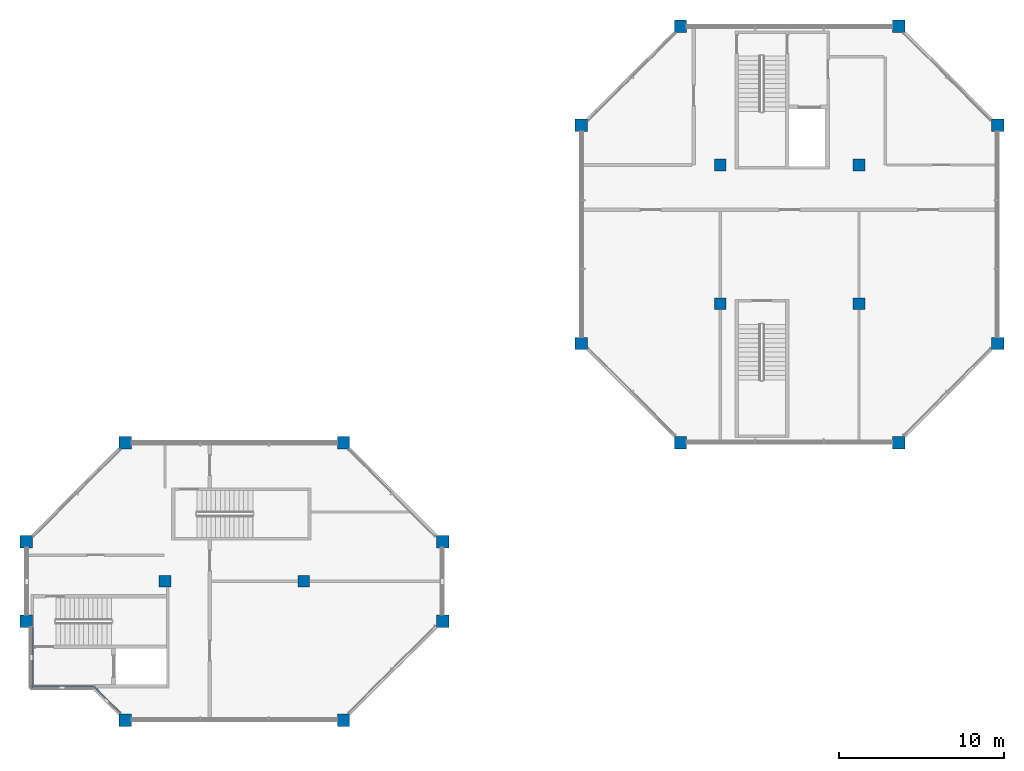
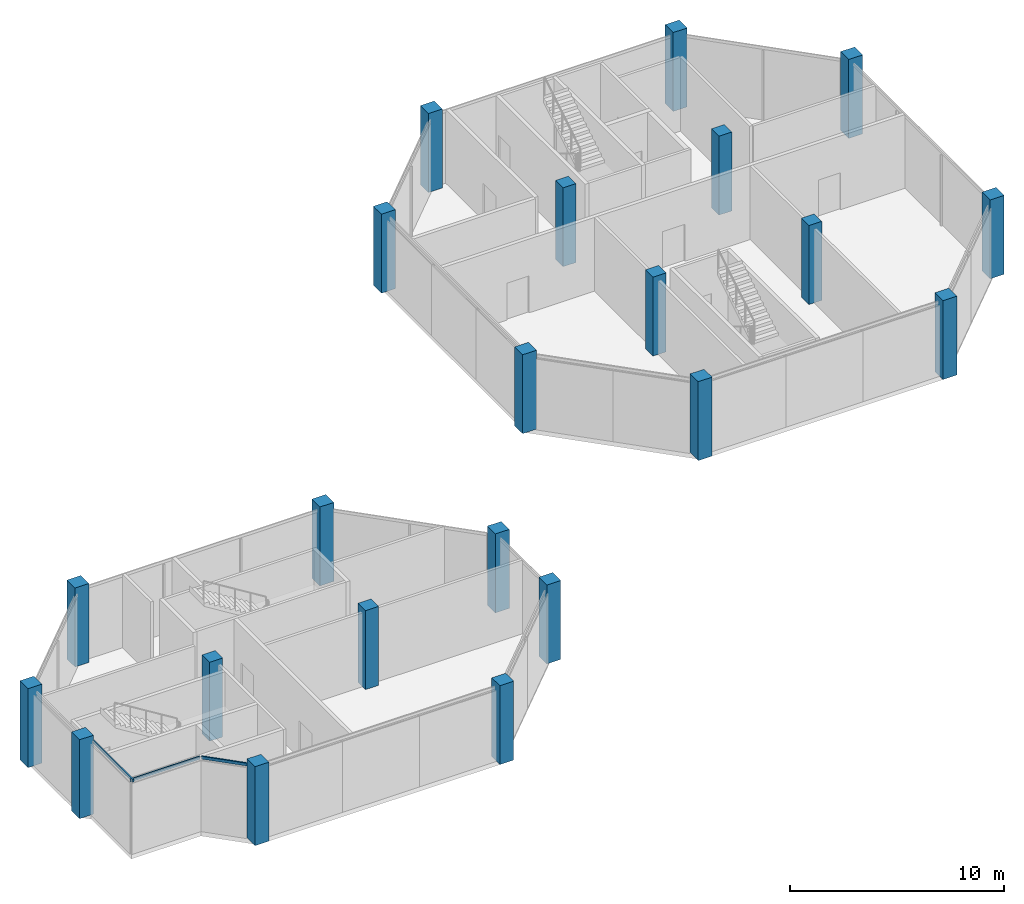
# One storey, part 1 of 9: 22 columns, 3 members, 3 elements without a shape of their own.
"""IFC4 building model written with IfcOpenShell, lengths in metres."""

from ifc_helpers import new_model, si_unit, direction, frame, origin, origin_2d, place, context, subcontext, project, spatial, rectangle, extrude, material, layer, layer_set, material_profile, profile_set, type_object, element, aggregate, save


model = new_model("IFC4")

# Units and contexts
model_context = context("Model", 3, precision=1e-05, world=origin(), true_north=direction((0.0, 1.0)))
body_context = subcontext(model_context, "Body", "Model", "MODEL_VIEW")
ifc_project = project(units=[si_unit("LENGTHUNIT", "METRE"), si_unit("AREAUNIT", "SQUARE_METRE"), si_unit("VOLUMEUNIT", "CUBIC_METRE"), si_unit("PLANEANGLEUNIT", "RADIAN"), si_unit("MASSUNIT", "GRAM", prefix="KILO")], contexts=[model_context])

# Site, building, storey
site_placement = place(None, origin())
site = spatial("IfcSite", under=ifc_project, at=site_placement, CompositionType="ELEMENT")
building_placement = place(site_placement, origin())
building = spatial("IfcBuilding", under=site, at=building_placement, Name="Kawkab Arch Medical Tower", CompositionType="ELEMENT")
storey_placement = place(building_placement, frame((0.0, 0.0, 345.699951171875)))
storey = spatial("IfcBuildingStorey", under=building, at=storey_placement, Name="L80", CompositionType="ELEMENT", Elevation=345.699951171875)

# Columns
ifc_material_1 = material(Name="Concrete C40/50", Category="concrete")
ifc_material_profile_1 = material_profile(ifc_material_1, rectangle(XDim=0.699951171875, YDim=0.699951171875, at=origin_2d()), Name="RC 700x700")
ifc_profile_set_1 = profile_set([ifc_material_profile_1], Name="Concrete C40/50")
column_type_1 = type_object("IfcColumnType", Name="RC 700x700 column C40/50", PredefinedType="COLUMN", material=ifc_profile_set_1)
for number, where, z_axis, x_axis, name in (
    (1, (42.0, -8.39990234375, 0.0), (0.0, 0.0, 1.0), (1.0, 0.0, 0.0), "Column RC 700x700"),
    (2, (50.39990234375, -8.39990234375, 0.0), (0.0, 0.0, 1.0), (1.0, 0.0, 0.0), "Column RC 700x700"),
    (3, (42.0, -16.800048828125, 0.0), (0.0, 0.0, 1.0), (1.0, 0.0, 0.0), "Column RC 700x700"),
    (4, (50.39990234375, -16.800048828125, 0.0), (0.0, 0.0, 1.0), (1.0, 0.0, 0.0), "Column RC 700x700"),
    (5, (8.39990234375, -33.60009765625, 0.0), (0.0, 0.0, 1.0), (1.0, 0.0, 0.0), "Column RC 700x700"),
    (6, (16.800048828125, -33.60009765625, 0.0), (0.0, 0.0, 1.0), (1.0, 0.0, 0.0), "Column RC 700x700"),
):
    element("IfcColumn", number, at=place(storey_placement, frame(where, z_axis=z_axis, x_axis=x_axis)), inside=storey, type_object=column_type_1, Name=name, PredefinedType="COLUMN", context=body_context, shape_type="SweptSolid", body=[
        extrude(rectangle(XDim=0.699951171875, YDim=0.699951171875, at=origin_2d()), origin(), (0.0, 0.0, 1.0), 4.5),
    ])
ifc_material_2 = material(Name="Concrete C40/50", Category="concrete")
ifc_material_profile_2 = material_profile(ifc_material_2, rectangle(XDim=0.75, YDim=0.75, at=origin_2d()), Name="RC 750x750")
ifc_profile_set_2 = profile_set([ifc_material_profile_2], Name="Concrete C40/50")
column_type_2 = type_object("IfcColumnType", Name="RC 750x750 column C40/50", PredefinedType="COLUMN", material=ifc_profile_set_2)
for number, where, z_axis, x_axis, name in (
    (7, (39.60009765625, 0.0, 0.0), (0.0, 0.0, 1.0), (1.0, 0.0, 0.0), "Column RC 750x750"),
    (8, (52.800048828125, 0.0, 0.0), (0.0, 0.0, 1.0), (1.0, 0.0, 0.0), "Column RC 750x750"),
    (9, (33.60009765625, -6.0, 0.0), (0.0, 0.0, 1.0), (1.0, 0.0, 0.0), "Column RC 750x750"),
    (10, (58.800048828125, -6.0, 0.0), (0.0, 0.0, 1.0), (1.0, 0.0, 0.0), "Column RC 750x750"),
    (11, (33.60009765625, -19.199951171875, 0.0), (0.0, 0.0, 1.0), (1.0, 0.0, 0.0), "Column RC 750x750"),
    (12, (58.800048828125, -19.199951171875, 0.0), (0.0, 0.0, 1.0), (1.0, 0.0, 0.0), "Column RC 750x750"),
    (13, (6.0, -25.199951171875, 0.0), (0.0, 0.0, 1.0), (1.0, 0.0, 0.0), "Column RC 750x750"),
    (14, (19.199951171875, -25.199951171875, 0.0), (0.0, 0.0, 1.0), (1.0, 0.0, 0.0), "Column RC 750x750"),
    (15, (39.60009765625, -25.199951171875, 0.0), (0.0, 0.0, 1.0), (1.0, 0.0, 0.0), "Column RC 750x750"),
    (16, (52.800048828125, -25.199951171875, 0.0), (0.0, 0.0, 1.0), (1.0, 0.0, 0.0), "Column RC 750x750"),
    (17, (0.0, -31.199951171875, 0.0), (0.0, 0.0, 1.0), (1.0, 0.0, 0.0), "Column RC 750x750"),
    (18, (25.199951171875, -31.199951171875, 0.0), (0.0, 0.0, 1.0), (1.0, 0.0, 0.0), "Column RC 750x750"),
    (19, (0.0, -36.0, 0.0), (0.0, 0.0, 1.0), (1.0, 0.0, 0.0), "Column RC 750x750"),
    (20, (25.199951171875, -36.0, 0.0), (0.0, 0.0, 1.0), (1.0, 0.0, 0.0), "Column RC 750x750"),
    (21, (6.0, -42.0, 0.0), (0.0, 0.0, 1.0), (1.0, 0.0, 0.0), "Column RC 750x750"),
    (22, (19.199951171875, -42.0, 0.0), (0.0, 0.0, 1.0), (1.0, 0.0, 0.0), "Column RC 750x750"),
):
    element("IfcColumn", number, at=place(storey_placement, frame(where, z_axis=z_axis, x_axis=x_axis)), inside=storey, type_object=column_type_2, Name=name, PredefinedType="COLUMN", context=body_context, shape_type="SweptSolid", body=[
        extrude(rectangle(XDim=0.75, YDim=0.75, at=origin_2d()), origin(), (0.0, 0.0, 1.0), 4.5),
    ])

# Curtain wall, member
ifc_material_3 = material(Name="Bronze anodised aluminium curtain wall frame", Category="aluminium")
ifc_layer = layer(ifc_material_3, 0.159912109375)
ifc_layer_set = layer_set([ifc_layer], Name="Bronze anodised aluminium curtain wall frame")
curtain_wall_type = type_object("IfcCurtainWallType", Name="CW6 helipad lobby and crown glazing", PredefinedType="NOTDEFINED", material=ifc_layer_set)
placement = place(storey_placement, origin())
curtain_wall_1 = element("IfcCurtainWall", 23, at=placement, inside=storey, type_object=curtain_wall_type, Name="CW6 Helipad lobby and crown glazing R14", PredefinedType="NOTDEFINED")
ifc_material_4 = material(Name="Bronze anodised aluminium curtain wall frame", Category="aluminium")
ifc_material_profile_3 = material_profile(ifc_material_4, rectangle(XDim=0.070068359375, YDim=0.159912109375, at=origin_2d()), Name="AL 70x160")
ifc_profile_set_3 = profile_set([ifc_material_profile_3], Name="Bronze anodised aluminium curtain wall frame")
member_type = type_object("IfcMemberType", Name="CW6 transom 160 x 70", PredefinedType="USERDEFINED", material=ifc_profile_set_3)
member_1_placement = place(storey_placement, frame((0.39990234375, -36.375, 4.1201171875), z_axis=(0.0, -1.0, 0.0), x_axis=(1.0, 0.0, 0.0)))
member_1 = element("IfcMember", 24, at=member_1_placement, type_object=member_type, Name="CW6 transom 1", ObjectType="TRANSOM", PredefinedType="USERDEFINED", context=body_context, shape_type="SweptSolid", body=[
    extrude(rectangle(XDim=0.070068359375, YDim=0.159912109375, at=origin_2d()), origin(), (0.0, 0.0, 1.0), 3.675048828125),
])
aggregate(curtain_wall_1, [member_1])

curtain_wall_2 = element("IfcCurtainWall", 25, at=placement, inside=storey, type_object=curtain_wall_type, Name="CW6 Helipad lobby and crown glazing R15", PredefinedType="NOTDEFINED")
member_2_placement = place(storey_placement, frame((0.300048828125, -39.949951171875, 4.1201171875), z_axis=(1.0, 0.0, 0.0), x_axis=(0.0, 1.0, 0.0)))
member_2 = element("IfcMember", 26, at=member_2_placement, type_object=member_type, Name="CW6 transom 1", ObjectType="TRANSOM", PredefinedType="USERDEFINED", context=body_context, shape_type="SweptSolid", body=[
    extrude(rectangle(XDim=0.070068359375, YDim=0.159912109375, at=origin_2d()), origin(), (0.0, 0.0, 1.0), 3.75),
])
aggregate(curtain_wall_2, [member_2])

curtain_wall_3 = element("IfcCurtainWall", 27, at=placement, inside=storey, type_object=curtain_wall_type, Name="CW6 Helipad lobby and crown glazing R16", PredefinedType="NOTDEFINED")
member_3_placement = place(storey_placement, frame((4.12060546875, -39.979248046875, 4.1201171875), z_axis=(0.707161580797, -0.707051977329, 0.0), x_axis=(0.707051977329, 0.707161580797, 0.0)))
member_3 = element("IfcMember", 28, at=member_3_placement, type_object=member_type, Name="CW6 transom 1", ObjectType="TRANSOM", PredefinedType="USERDEFINED", context=body_context, shape_type="SweptSolid", body=[
    extrude(rectangle(XDim=0.070068359375, YDim=0.159912109375, at=origin_2d()), origin(), (0.0, 0.0, 1.0), 2.2275390625),
])
aggregate(curtain_wall_3, [member_3])

save(model, "model.ifc")
